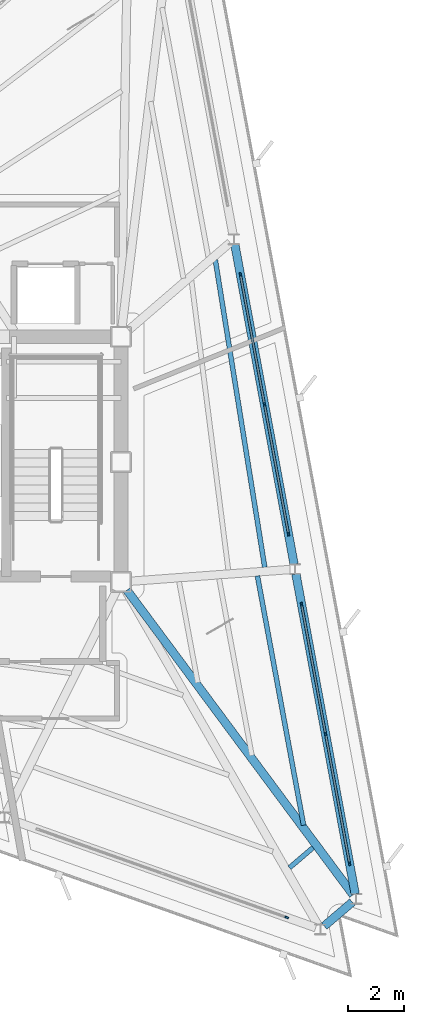
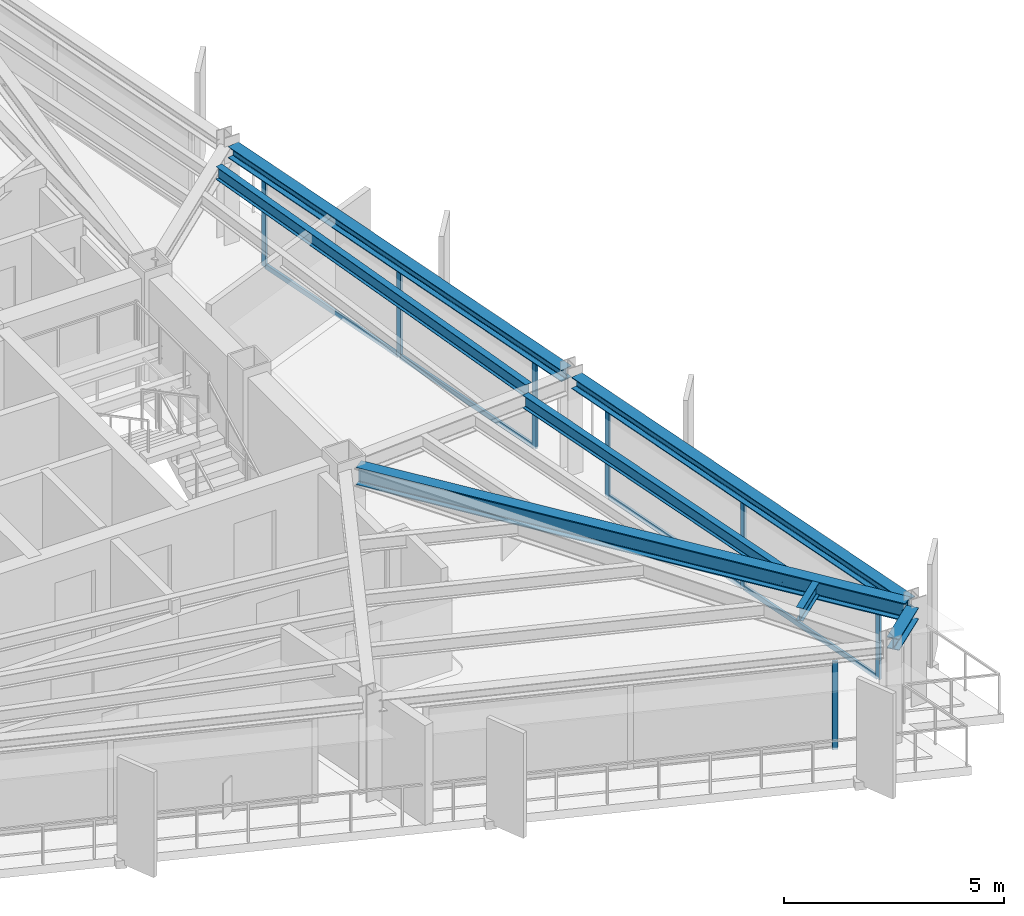
# One storey, part 6 of 14: 15 members, 7 beams, 3 elements without a shape of their own.
"""IFC4 building model written with IfcOpenShell, lengths in metres."""

from ifc_helpers import new_model, si_unit, direction, frame, origin, origin_2d, place, context, subcontext, project, spatial, rectangle, i_section, extrude, material, layer, layer_set, material_profile, profile_set, type_object, element, aggregate, save


model = new_model("IFC4")

# Units and contexts
model_context = context("Model", 3, precision=1e-05, world=origin(), true_north=direction((0.0, 1.0)))
body_context = subcontext(model_context, "Body", "Model", "MODEL_VIEW")
ifc_project = project(units=[si_unit("LENGTHUNIT", "METRE"), si_unit("AREAUNIT", "SQUARE_METRE"), si_unit("VOLUMEUNIT", "CUBIC_METRE"), si_unit("PLANEANGLEUNIT", "RADIAN"), si_unit("MASSUNIT", "GRAM", prefix="KILO")], contexts=[model_context])

# Site, building, storey
site_placement = place(None, origin())
site = spatial("IfcSite", under=ifc_project, at=site_placement, CompositionType="ELEMENT")
building_placement = place(site_placement, origin())
building = spatial("IfcBuilding", under=site, at=building_placement, Name="Rocaltana Carrier Exchange", CompositionType="ELEMENT")
storey_placement = place(building_placement, frame((0.0, 0.0, 187.52001953125)))
storey = spatial("IfcBuildingStorey", under=building, at=storey_placement, Name="L59", CompositionType="ELEMENT", Elevation=187.52001953125)

# Curtain wall, members
ifc_material_1 = material(Name="Aluminium 6063-T6", Category="aluminium")
ifc_layer = layer(ifc_material_1, 0.135009765625)
ifc_layer_set = layer_set([ifc_layer], Name="Aluminium 6063-T6")
curtain_wall_type = type_object("IfcCurtainWallType", Name="Upper-Mid Acoustic Curtain Wall CW-04", PredefinedType="NOTDEFINED", material=ifc_layer_set)
curtain_wall_1_placement = place(storey_placement, origin())
curtain_wall_1 = element("IfcCurtainWall", 1, at=curtain_wall_1_placement, inside=storey, type_object=curtain_wall_type, Name="L59 CW-04 Run CW-L59-F1S1", PredefinedType="NOTDEFINED")
ifc_material_2 = material(Name="Aluminium 6063-T6", Category="aluminium")
ifc_material_profile_1 = material_profile(ifc_material_2, rectangle(XDim=0.06494140625, YDim=0.135009765625, at=origin_2d()), Name="AL-65X135")
ifc_profile_set_1 = profile_set([ifc_material_profile_1], Name="Aluminium 6063-T6")
member_type_1 = type_object("IfcMemberType", Name="CW-04 Mullion AL-65X135", PredefinedType="MULLION", material=ifc_profile_set_1)
member_1_placement = place(storey_placement, frame((14.2587890625, -14.410400390625, 0.0), z_axis=(0.0, 0.0, 1.0), x_axis=(-0.98325514449, -0.182234247149, 0.0)))
member_1 = element("IfcMember", 2, at=member_1_placement, type_object=member_type_1, Name="CW-04 mullion 1", PredefinedType="MULLION", context=body_context, shape_type="SweptSolid", body=[
    extrude(rectangle(XDim=0.06494140625, YDim=0.135009765625, at=origin_2d()), origin(), (0.0, 0.0, 1.0), 2.447998046875),
])
member_2_placement = place(storey_placement, frame((13.39599609375, -9.75537109375, 0.0), z_axis=(0.0, 0.0, 1.0), x_axis=(-0.98325514449, -0.182234247149, 0.0)))
member_2 = element("IfcMember", 3, at=member_2_placement, type_object=member_type_1, Name="CW-04 mullion 2", PredefinedType="MULLION", context=body_context, shape_type="SweptSolid", body=[
    extrude(rectangle(XDim=0.06494140625, YDim=0.135009765625, at=origin_2d()), origin(), (0.0, 0.0, 1.0), 2.447998046875),
])
member_3_placement = place(storey_placement, frame((12.533203125, -5.1005859375, 0.0), z_axis=(0.0, 0.0, 1.0), x_axis=(-0.98325514449, -0.182234247149, 0.0)))
member_3 = element("IfcMember", 4, at=member_3_placement, type_object=member_type_1, Name="CW-04 mullion 3", PredefinedType="MULLION", context=body_context, shape_type="SweptSolid", body=[
    extrude(rectangle(XDim=0.06494140625, YDim=0.135009765625, at=origin_2d()), origin(), (0.0, 0.0, 1.0), 2.447998046875),
])

curtain_wall_2_placement = place(storey_placement, origin())
curtain_wall_2 = element("IfcCurtainWall", 5, at=curtain_wall_2_placement, inside=storey, type_object=curtain_wall_type, Name="L59 CW-04 Run CW-L59-F1S2", PredefinedType="NOTDEFINED")
member_4_placement = place(storey_placement, frame((12.06591796875, -2.578369140625, 0.0), z_axis=(0.0, 0.0, 1.0), x_axis=(-0.983254796134, -0.182236126712, 0.0)))
member_4 = element("IfcMember", 6, at=member_4_placement, type_object=member_type_1, Name="CW-04 mullion 1", PredefinedType="MULLION", context=body_context, shape_type="SweptSolid", body=[
    extrude(rectangle(XDim=0.06494140625, YDim=0.135009765625, at=origin_2d()), origin(), (0.0, 0.0, 1.0), 2.447998046875),
])
member_5_placement = place(storey_placement, frame((11.203125, 2.076416015625, 0.0), z_axis=(0.0, 0.0, 1.0), x_axis=(-0.983254796134, -0.182236126712, 0.0)))
member_5 = element("IfcMember", 7, at=member_5_placement, type_object=member_type_1, Name="CW-04 mullion 2", PredefinedType="MULLION", context=body_context, shape_type="SweptSolid", body=[
    extrude(rectangle(XDim=0.06494140625, YDim=0.135009765625, at=origin_2d()), origin(), (0.0, 0.0, 1.0), 2.447998046875),
])
member_6_placement = place(storey_placement, frame((10.34033203125, 6.731201171875, 0.0), z_axis=(0.0, 0.0, 1.0), x_axis=(-0.983254796134, -0.182236126712, 0.0)))
member_6 = element("IfcMember", 8, at=member_6_placement, type_object=member_type_1, Name="CW-04 mullion 3", PredefinedType="MULLION", context=body_context, shape_type="SweptSolid", body=[
    extrude(rectangle(XDim=0.06494140625, YDim=0.135009765625, at=origin_2d()), origin(), (0.0, 0.0, 1.0), 2.447998046875),
])

# Curtain wall, member
curtain_wall_3_placement = place(storey_placement, origin())
curtain_wall_3 = element("IfcCurtainWall", 9, at=curtain_wall_3_placement, inside=storey, type_object=curtain_wall_type, Name="L59 CW-04 Run CW-L59-F3S3", PredefinedType="NOTDEFINED")
member_7_placement = place(storey_placement, frame((12.00244140625, -16.33740234375, 0.0), z_axis=(0.0, 0.0, 1.0), x_axis=(0.333798791936, 0.942644347833, 0.0)))
member_7 = element("IfcMember", 10, at=member_7_placement, type_object=member_type_1, Name="CW-04 mullion 3", PredefinedType="MULLION", context=body_context, shape_type="SweptSolid", body=[
    extrude(rectangle(XDim=0.06494140625, YDim=0.135009765625, at=origin_2d()), origin(), (0.0, 0.0, 1.0), 2.447998046875),
])
aggregate(curtain_wall_3, [member_7])

# Member
ifc_material_3 = material(Name="Aluminium 6063-T6", Category="aluminium")
ifc_material_profile_2 = material_profile(ifc_material_3, rectangle(XDim=0.06494140625, YDim=0.135009765625, at=origin_2d()), Name="AL-65X135")
ifc_profile_set_2 = profile_set([ifc_material_profile_2], Name="Aluminium 6063-T6")
member_type_2 = type_object("IfcMemberType", Name="CW-04 Transom AL-65X135", PredefinedType="USERDEFINED", material=ifc_profile_set_2)
member_8_placement = place(storey_placement, frame((14.2529296875, -14.37841796875, 0.032470703125), z_axis=(-0.18227087305, 0.983248355624, 0.0), x_axis=(-0.983248355624, -0.18227087305, 0.0)))
member_8 = element("IfcMember", 11, at=member_8_placement, type_object=member_type_2, Name="CW-04 transom 1.1", ObjectType="TRANSOM", PredefinedType="USERDEFINED", context=body_context, shape_type="SweptSolid", body=[
    extrude(rectangle(XDim=0.06494140625, YDim=0.135009765625, at=origin_2d()), origin(), (0.0, 0.0, 1.0), 4.669189453125),
])

member_9_placement = place(storey_placement, frame((14.2529296875, -14.37841796875, 2.41552734375), z_axis=(-0.18227087305, 0.983248355624, 0.0), x_axis=(-0.983248355624, -0.18227087305, 0.0)))
member_9 = element("IfcMember", 12, at=member_9_placement, type_object=member_type_2, Name="CW-04 transom 1.2", ObjectType="TRANSOM", PredefinedType="USERDEFINED", context=body_context, shape_type="SweptSolid", body=[
    extrude(rectangle(XDim=0.06494140625, YDim=0.135009765625, at=origin_2d()), origin(), (0.0, 0.0, 1.0), 4.669189453125),
])

member_10_placement = place(storey_placement, frame((13.39013671875, -9.723388671875, 0.032470703125), z_axis=(-0.182229691605, 0.983255988793, 0.0), x_axis=(-0.983255988793, -0.182229691605, 0.0)))
member_10 = element("IfcMember", 13, at=member_10_placement, type_object=member_type_2, Name="CW-04 transom 2.1", ObjectType="TRANSOM", PredefinedType="USERDEFINED", context=body_context, shape_type="SweptSolid", body=[
    extrude(rectangle(XDim=0.06494140625, YDim=0.135009765625, at=origin_2d()), origin(), (0.0, 0.0, 1.0), 4.6689453125),
])

member_11_placement = place(storey_placement, frame((13.39013671875, -9.723388671875, 2.41552734375), z_axis=(-0.182229691605, 0.983255988793, 0.0), x_axis=(-0.983255988793, -0.182229691605, 0.0)))
member_11 = element("IfcMember", 14, at=member_11_placement, type_object=member_type_2, Name="CW-04 transom 2.2", ObjectType="TRANSOM", PredefinedType="USERDEFINED", context=body_context, shape_type="SweptSolid", body=[
    extrude(rectangle(XDim=0.06494140625, YDim=0.135009765625, at=origin_2d()), origin(), (0.0, 0.0, 1.0), 4.6689453125),
])

aggregate(curtain_wall_1, [member_1, member_2, member_3, member_8, member_9, member_10, member_11])

member_12_placement = place(storey_placement, frame((12.06005859375, -2.54638671875, 0.032470703125), z_axis=(-0.182280244188, 0.983246618392, 0.0), x_axis=(-0.983246618392, -0.182280244188, 0.0)))
member_12 = element("IfcMember", 15, at=member_12_placement, type_object=member_type_2, Name="CW-04 transom 1.1", ObjectType="TRANSOM", PredefinedType="USERDEFINED", context=body_context, shape_type="SweptSolid", body=[
    extrude(rectangle(XDim=0.06494140625, YDim=0.135009765625, at=origin_2d()), origin(), (0.0, 0.0, 1.0), 4.6689453125),
])

member_13_placement = place(storey_placement, frame((12.06005859375, -2.54638671875, 2.41552734375), z_axis=(-0.182280244188, 0.983246618392, 0.0), x_axis=(-0.983246618392, -0.182280244188, 0.0)))
member_13 = element("IfcMember", 16, at=member_13_placement, type_object=member_type_2, Name="CW-04 transom 1.2", ObjectType="TRANSOM", PredefinedType="USERDEFINED", context=body_context, shape_type="SweptSolid", body=[
    extrude(rectangle(XDim=0.06494140625, YDim=0.135009765625, at=origin_2d()), origin(), (0.0, 0.0, 1.0), 4.6689453125),
])

member_14_placement = place(storey_placement, frame((11.197265625, 2.1083984375, 0.032470703125), z_axis=(-0.182229691605, 0.983255988793, 0.0), x_axis=(-0.983255988793, -0.182229691605, 0.0)))
member_14 = element("IfcMember", 17, at=member_14_placement, type_object=member_type_2, Name="CW-04 transom 2.1", ObjectType="TRANSOM", PredefinedType="USERDEFINED", context=body_context, shape_type="SweptSolid", body=[
    extrude(rectangle(XDim=0.06494140625, YDim=0.135009765625, at=origin_2d()), origin(), (0.0, 0.0, 1.0), 4.6689453125),
])

member_15_placement = place(storey_placement, frame((11.197265625, 2.1083984375, 2.41552734375), z_axis=(-0.182229691605, 0.983255988793, 0.0), x_axis=(-0.983255988793, -0.182229691605, 0.0)))
member_15 = element("IfcMember", 18, at=member_15_placement, type_object=member_type_2, Name="CW-04 transom 2.2", ObjectType="TRANSOM", PredefinedType="USERDEFINED", context=body_context, shape_type="SweptSolid", body=[
    extrude(rectangle(XDim=0.06494140625, YDim=0.135009765625, at=origin_2d()), origin(), (0.0, 0.0, 1.0), 4.6689453125),
])

aggregate(curtain_wall_2, [member_4, member_5, member_6, member_12, member_13, member_14, member_15])

# Beams
ifc_material_4 = material(Name="Steel S355", Category="steel")
ifc_material_profile_3 = material_profile(ifc_material_4, i_section(OverallWidth=0.172119140625, OverallDepth=0.35791015625, WebThickness=0.0078125, FlangeThickness=0.01318359375, FilletRadius=0.011962890625, at=origin_2d()), Name="W14X38")
ifc_profile_set_3 = profile_set([ifc_material_profile_3], Name="Steel S355")
beam_type_1 = type_object("IfcBeamType", Name="Floor Joist W14X38", PredefinedType="JOIST", material=ifc_profile_set_3)
beam_1_placement = place(storey_placement, frame((12.60888671875, -13.028076171875, 2.618896484375), z_axis=(-0.182235319361, 0.983254945768, 0.0), x_axis=(-0.983254945768, -0.182235319361, 0.0)))
element("IfcBeam", 19, at=beam_1_placement, inside=storey, type_object=beam_type_1, Name="FJ-L59-01-3", PredefinedType="JOIST", context=body_context, shape_type="SweptSolid", body=[
    extrude(i_section(OverallWidth=0.172119140625, OverallDepth=0.35791015625, WebThickness=0.0078125, FlangeThickness=0.01318359375, FilletRadius=0.011962890625, at=origin_2d()), origin(), (0.0, 0.0, 1.0), 9.097900390625),
])
beam_2_placement = place(storey_placement, frame((11.21435546875, -3.775634765625, 2.618896484375), z_axis=(-0.158801706123, 0.987310497327, 0.0), x_axis=(-0.987310497327, -0.158801706123, 0.0)))
element("IfcBeam", 20, at=beam_2_placement, inside=storey, type_object=beam_type_1, Name="FJ-L59-02-3", PredefinedType="JOIST", context=body_context, shape_type="SweptSolid", body=[
    extrude(i_section(OverallWidth=0.172119140625, OverallDepth=0.35791015625, WebThickness=0.0078125, FlangeThickness=0.01318359375, FilletRadius=0.011962890625, at=origin_2d()), origin(), (0.0, 0.0, 1.0), 11.173828125),
])
beam_3_placement = place(storey_placement, frame((12.103515625, -14.552978515625, 2.618896484375), z_axis=(0.760342005867, 0.649522928089, 0.0), x_axis=(-0.649522928089, 0.760342005867, 0.0)))
element("IfcBeam", 21, at=beam_3_placement, inside=storey, type_object=beam_type_1, Name="FJ-L59-12-3", PredefinedType="JOIST", context=body_context, shape_type="SweptSolid", body=[
    extrude(i_section(OverallWidth=0.172119140625, OverallDepth=0.35791015625, WebThickness=0.0078125, FlangeThickness=0.01318359375, FilletRadius=0.011962890625, at=origin_2d()), origin(), (0.0, 0.0, 1.0), 1.1103515625),
])
ifc_material_5 = material(Name="Steel S355", Category="steel")
ifc_material_profile_4 = material_profile(ifc_material_5, i_section(OverallWidth=0.300048828125, OverallDepth=0.320068359375, WebThickness=0.011474609375, FlangeThickness=0.0205078125, FilletRadius=0.027099609375, at=origin_2d()), Name="HEB320")
ifc_profile_set_4 = profile_set([ifc_material_profile_4], Name="Steel S355")
beam_type_2 = type_object("IfcBeamType", Name="Spandrel Edge Beam HEB320", PredefinedType="SPANDREL", material=ifc_profile_set_4)
beam_4_placement = place(storey_placement, frame((14.459716796875, -15.494873046875, 2.637939453125), z_axis=(-0.182233789238, 0.983255229358, 0.0), x_axis=(-0.983255229358, -0.182233789238, 0.0)))
element("IfcBeam", 22, at=beam_4_placement, inside=storey, type_object=beam_type_2, Name="SP-L59-01", PredefinedType="SPANDREL", context=body_context, shape_type="SweptSolid", body=[
    extrude(i_section(OverallWidth=0.300048828125, OverallDepth=0.320068359375, WebThickness=0.011474609375, FlangeThickness=0.0205078125, FilletRadius=0.027099609375, at=origin_2d()), origin(), (0.0, 0.0, 1.0), 11.67431640625),
])
beam_5_placement = place(storey_placement, frame((12.266845703125, -3.6630859375, 2.637939453125), z_axis=(-0.182230042117, 0.983255923832, 0.0), x_axis=(-0.983255923832, -0.182230042117, 0.0)))
element("IfcBeam", 23, at=beam_5_placement, inside=storey, type_object=beam_type_2, Name="SP-L59-02", PredefinedType="SPANDREL", context=body_context, shape_type="SweptSolid", body=[
    extrude(i_section(OverallWidth=0.300048828125, OverallDepth=0.320068359375, WebThickness=0.011474609375, FlangeThickness=0.0205078125, FilletRadius=0.027099609375, at=origin_2d()), origin(), (0.0, 0.0, 1.0), 11.674560546875),
])
beam_6_placement = place(storey_placement, frame((13.347900390625, -16.64892578125, 2.637939453125), z_axis=(0.760451362901, 0.649394891158, 0.0), x_axis=(-0.649394891158, 0.760451362901, 0.0)))
element("IfcBeam", 24, at=beam_6_placement, inside=storey, type_object=beam_type_2, Name="SP-L59-12", PredefinedType="SPANDREL", context=body_context, shape_type="SweptSolid", body=[
    extrude(i_section(OverallWidth=0.300048828125, OverallDepth=0.320068359375, WebThickness=0.011474609375, FlangeThickness=0.0205078125, FilletRadius=0.027099609375, at=origin_2d()), origin(), (0.0, 0.0, 1.0), 1.32568359375),
])
ifc_material_6 = material(Name="Steel S355", Category="steel")
ifc_material_profile_5 = material_profile(ifc_material_6, i_section(OverallWidth=0.300048828125, OverallDepth=0.5, WebThickness=0.014404296875, FlangeThickness=0.028076171875, FilletRadius=0.027099609375, at=origin_2d()), Name="HEB500")
ifc_profile_set_5 = profile_set([ifc_material_profile_5], Name="Steel S355")
beam_type_3 = type_object("IfcBeamType", Name="Upper Radial Girder HEB500", PredefinedType="BEAM", material=ifc_profile_set_5)
beam_7_placement = place(storey_placement, frame((6.268798828125, -4.5947265625, 2.548095703125), z_axis=(0.596102800415, -0.802908121355, 0.0), x_axis=(0.802908121355, 0.596102800415, 0.0)))
element("IfcBeam", 25, at=beam_7_placement, inside=storey, type_object=beam_type_3, Name="RG-L59-01", PredefinedType="BEAM", context=body_context, shape_type="SweptSolid", body=[
    extrude(i_section(OverallWidth=0.300048828125, OverallDepth=0.5, WebThickness=0.014404296875, FlangeThickness=0.028076171875, FilletRadius=0.027099609375, at=origin_2d()), origin(), (0.0, 0.0, 1.0), 13.6162109375),
])

save(model, "model.ifc")
